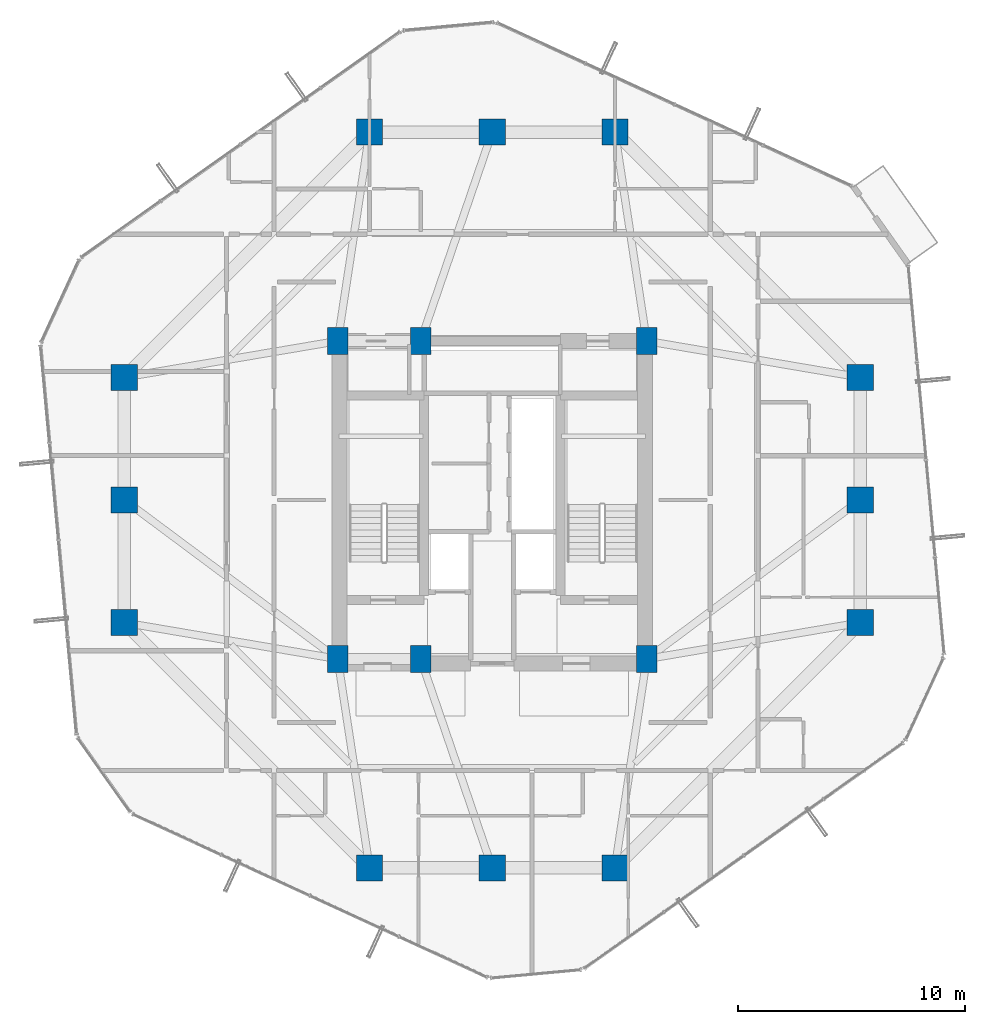
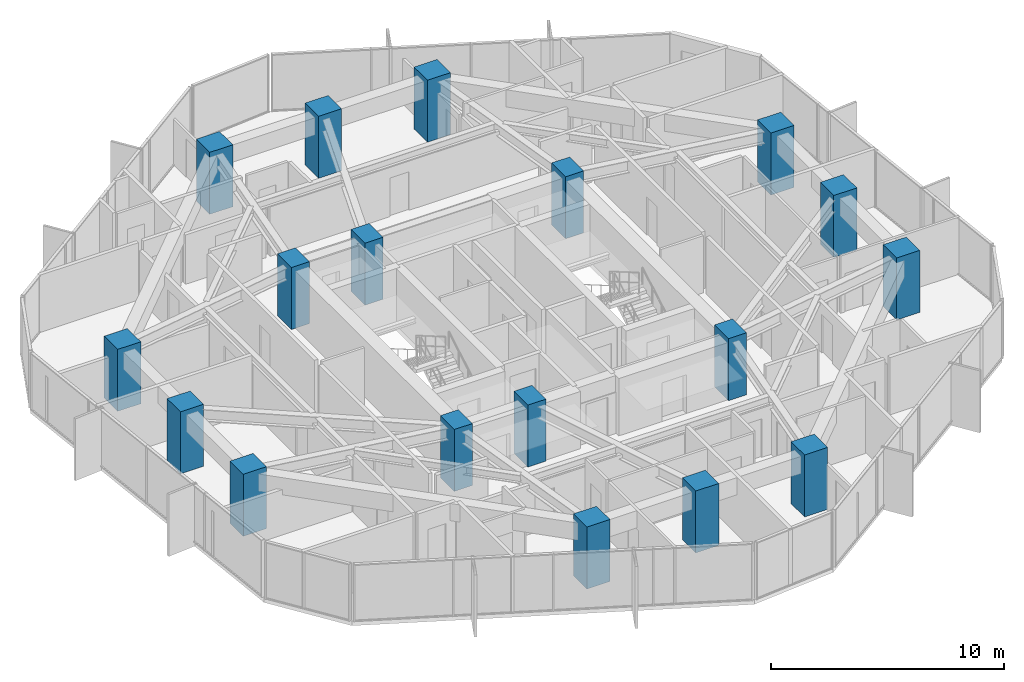
# One storey, part 1 of 33: 18 columns.
"""IFC4 building model written with IfcOpenShell, lengths in metres."""

from ifc_helpers import new_model, si_unit, direction, frame, origin, origin_2d, place, context, subcontext, project, spatial, rectangle, extrude, material, material_profile, profile_set, type_object, element, save


model = new_model("IFC4")

# Units and contexts
model_context = context("Model", 3, precision=1e-05, world=origin(), true_north=direction((0.0, 1.0)))
body_context = subcontext(model_context, "Body", "Model", "MODEL_VIEW")
ifc_project = project(units=[si_unit("LENGTHUNIT", "METRE"), si_unit("AREAUNIT", "SQUARE_METRE"), si_unit("VOLUMEUNIT", "CUBIC_METRE"), si_unit("PLANEANGLEUNIT", "RADIAN"), si_unit("MASSUNIT", "GRAM", prefix="KILO")], contexts=[model_context])

# Site, building, storey
site_placement = place(None, origin())
site = spatial("IfcSite", under=ifc_project, at=site_placement, CompositionType="ELEMENT")
building_placement = place(site_placement, origin())
building = spatial("IfcBuilding", under=site, at=building_placement, Name="Veraguas Prism Commons", CompositionType="ELEMENT")
storey_placement = place(building_placement, frame((0.0, 0.0, 145.75)))
storey = spatial("IfcBuildingStorey", under=building, at=storey_placement, Name="L41", CompositionType="ELEMENT", Elevation=145.75)

# Columns
ifc_material = material(Name="Concrete C60/75", Category="concrete")
ifc_material_profile_1 = material_profile(ifc_material, rectangle(XDim=1.14990234375, YDim=1.14990234375, at=origin_2d()), Name="RC1150X1150")
ifc_profile_set_1 = profile_set([ifc_material_profile_1], Name="Concrete C60/75")
column_type_1 = type_object("IfcColumnType", Name="Column Tube Z2 RC 1150x1150", PredefinedType="COLUMN", material=ifc_profile_set_1)
for number, where, z_axis, x_axis, name in (
    (1, (40.199951171875, 18.60009765625, 0.0), (0.0, 0.0, 1.0), (1.0, 0.0, 0.0), "Tower Perimeter Column L41-TB01"),
    (2, (40.199951171875, 24.0, 0.0), (0.0, 0.0, 1.0), (1.0, 0.0, 0.0), "Tower Perimeter Column L41-TB02"),
    (3, (40.199951171875, 29.39990234375, 0.0), (0.0, 0.0, 1.0), (1.0, 0.0, 0.0), "Tower Perimeter Column L41-TB03"),
    (4, (29.39990234375, 40.199951171875, 0.0), (0.0, 0.0, 1.0), (1.0, 0.0, 0.0), "Tower Perimeter Column L41-TB04"),
    (5, (24.0, 40.199951171875, 0.0), (0.0, 0.0, 1.0), (1.0, 0.0, 0.0), "Tower Perimeter Column L41-TB05"),
    (6, (18.60009765625, 40.199951171875, 0.0), (0.0, 0.0, 1.0), (1.0, 0.0, 0.0), "Tower Perimeter Column L41-TB06"),
    (7, (7.800048828125, 29.39990234375, 0.0), (0.0, 0.0, 1.0), (1.0, 0.0, 0.0), "Tower Perimeter Column L41-TB07"),
    (8, (7.800048828125, 24.0, 0.0), (0.0, 0.0, 1.0), (1.0, 0.0, 0.0), "Tower Perimeter Column L41-TB08"),
    (9, (7.800048828125, 18.60009765625, 0.0), (0.0, 0.0, 1.0), (1.0, 0.0, 0.0), "Tower Perimeter Column L41-TB09"),
    (10, (18.60009765625, 7.800048828125, 0.0), (0.0, 0.0, 1.0), (1.0, 0.0, 0.0), "Tower Perimeter Column L41-TB10"),
    (11, (24.0, 7.800048828125, 0.0), (0.0, 0.0, 1.0), (1.0, 0.0, 0.0), "Tower Perimeter Column L41-TB11"),
    (12, (29.39990234375, 7.800048828125, 0.0), (0.0, 0.0, 1.0), (1.0, 0.0, 0.0), "Tower Perimeter Column L41-TB12"),
):
    element("IfcColumn", number, at=place(storey_placement, frame(where, z_axis=z_axis, x_axis=x_axis)), inside=storey, type_object=column_type_1, Name=name, PredefinedType="COLUMN", context=body_context, shape_type="SweptSolid", body=[
        extrude(rectangle(XDim=1.14990234375, YDim=1.14990234375, at=origin_2d()), origin(), (0.0, 0.0, 1.0), 3.25),
    ])
ifc_material_profile_2 = material_profile(ifc_material, rectangle(XDim=0.89990234375, YDim=1.199951171875, at=origin_2d()), Name="RC900X1200")
ifc_profile_set_2 = profile_set([ifc_material_profile_2], Name="Concrete C60/75")
column_type_2 = type_object("IfcColumnType", Name="Pilaster Core Lower RC 900x1200", PredefinedType="PILASTER", material=ifc_profile_set_2)
for number, where, z_axis, x_axis, name in (
    (13, (17.199951171875, 17.0, 0.0), (0.0, 0.0, 1.0), (1.0, 0.0, 0.0), "Core Pilaster Column L41-CR1"),
    (14, (20.85009765625, 17.0, 0.0), (0.0, 0.0, 1.0), (1.0, 0.0, 0.0), "Core Pilaster Column L41-CR2"),
    (15, (30.800048828125, 17.0, 0.0), (0.0, 0.0, 1.0), (1.0, 0.0, 0.0), "Core Pilaster Column L41-CR3"),
    (16, (17.199951171875, 31.0, 0.0), (0.0, 0.0, 1.0), (1.0, 0.0, 0.0), "Core Pilaster Column L41-CR4"),
    (17, (20.85009765625, 31.0, 0.0), (0.0, 0.0, 1.0), (1.0, 0.0, 0.0), "Core Pilaster Column L41-CR5"),
    (18, (30.800048828125, 31.0, 0.0), (0.0, 0.0, 1.0), (1.0, 0.0, 0.0), "Core Pilaster Column L41-CR6"),
):
    element("IfcColumn", number, at=place(storey_placement, frame(where, z_axis=z_axis, x_axis=x_axis)), inside=storey, type_object=column_type_2, Name=name, PredefinedType="PILASTER", context=body_context, shape_type="SweptSolid", body=[
        extrude(rectangle(XDim=0.89990234375, YDim=1.199951171875, at=origin_2d()), origin(), (0.0, 0.0, 1.0), 3.25),
    ])

save(model, "model.ifc")
